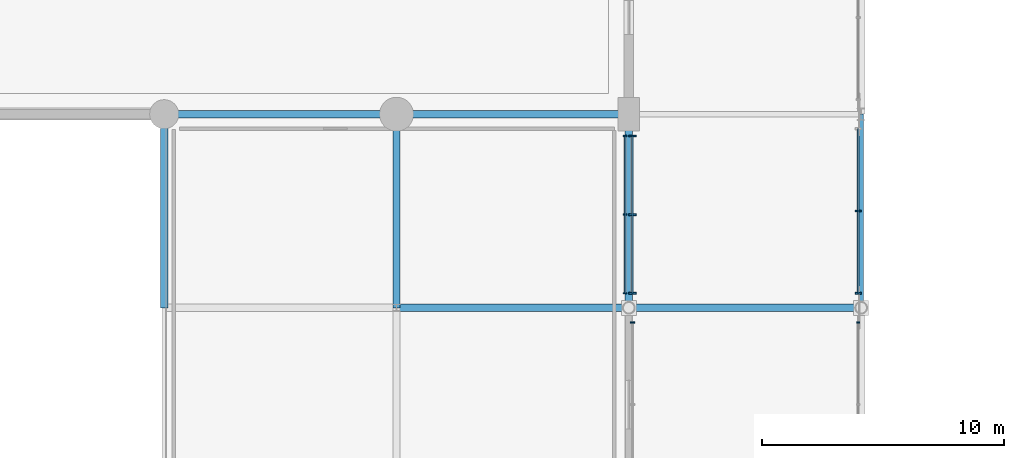
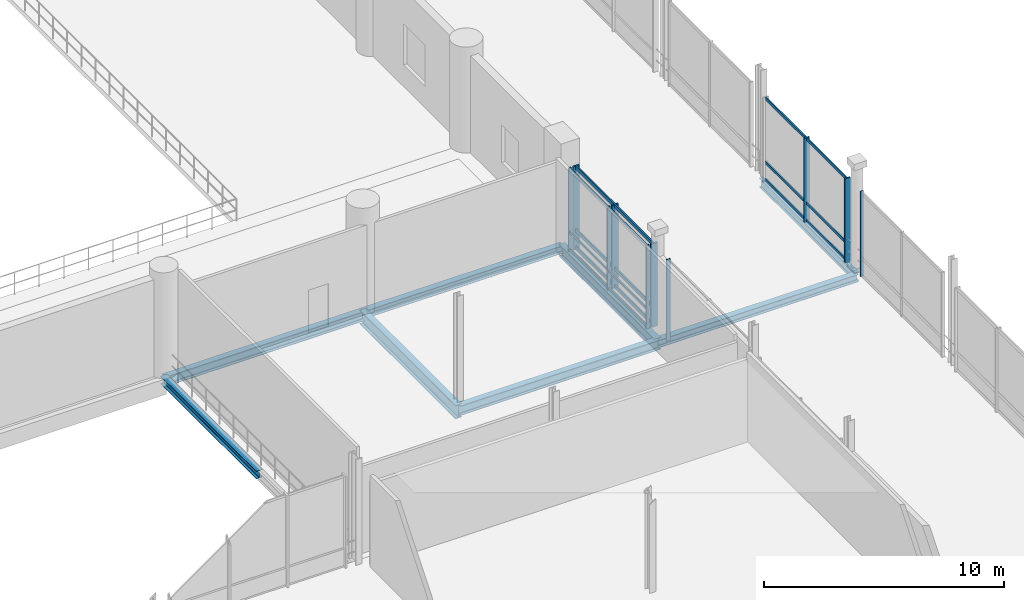
# One storey, part 46 of 129: 19 members, 8 beams, 5 elements without a shape of their own.
"""IFC4 building model written with IfcOpenShell, lengths in metres."""

from ifc_helpers import new_model, si_unit, direction, frame, origin, origin_2d, place, context, subcontext, project, spatial, rectangle, i_section, extrude, material, material_profile, profile_set, type_object, element, aggregate, save


model = new_model("IFC4")

# Units and contexts
model_context = context("Model", 3, precision=1e-05, world=origin(), true_north=direction((0.0, 1.0)))
body_context = subcontext(model_context, "Body", "Model", "MODEL_VIEW")
ifc_project = project(units=[si_unit("LENGTHUNIT", "METRE"), si_unit("AREAUNIT", "SQUARE_METRE"), si_unit("VOLUMEUNIT", "CUBIC_METRE"), si_unit("PLANEANGLEUNIT", "RADIAN"), si_unit("MASSUNIT", "GRAM", prefix="KILO")], contexts=[model_context])

# Site, building, storey
site_placement = place(None, origin())
site = spatial("IfcSite", under=ifc_project, at=site_placement, CompositionType="ELEMENT")
building_placement = place(site_placement, origin())
building = spatial("IfcBuilding", under=site, at=building_placement, Name="Danafjord Basin Convention Centre", CompositionType="ELEMENT")
storey_placement = place(building_placement, frame((0.0, 0.0, 6.0)))
storey = spatial("IfcBuildingStorey", under=building, at=storey_placement, Name="L01", CompositionType="ELEMENT", Elevation=6.0)

# Beams
ifc_material_1 = material(Name="Steel S355", Category="steel")
ifc_material_profile_1 = material_profile(ifc_material_1, i_section(OverallWidth=0.300048828125, OverallDepth=0.389892578125, WebThickness=0.010986328125, FlangeThickness=0.01904296875, FilletRadius=0.027099609375, at=origin_2d()), Name="HEA 400")
ifc_profile_set_1 = profile_set([ifc_material_profile_1], Name="Steel S355")
beam_type_1 = type_object("IfcBeamType", Name="BEAM-BM-HEA400", PredefinedType="BEAM", material=ifc_profile_set_1)
beam_1_placement = place(storey_placement, frame((105.60009765625, 56.0, -0.445068359375), z_axis=(1.0, 0.0, 0.0), x_axis=(0.0, 1.0, 0.0)))
element("IfcBeam", 1, at=beam_1_placement, inside=storey, type_object=beam_type_1, Name="L01 girder BM-HEA400", PredefinedType="BEAM", context=body_context, shape_type="SweptSolid", body=[
    extrude(i_section(OverallWidth=0.300048828125, OverallDepth=0.389892578125, WebThickness=0.010986328125, FlangeThickness=0.01904296875, FilletRadius=0.027099609375, at=origin_2d()), origin(), (0.0, 0.0, 1.0), 9.599853515625),
])
beam_2_placement = place(storey_placement, frame((115.199951171875, 48.0, -0.425048828125), z_axis=(1.0, 0.0, 0.0), x_axis=(0.0, 1.0, 0.0)))
element("IfcBeam", 2, at=beam_2_placement, inside=storey, type_object=beam_type_1, Name="L01 girder BM-HEA400", PredefinedType="BEAM", context=body_context, shape_type="SweptSolid", body=[
    extrude(i_section(OverallWidth=0.300048828125, OverallDepth=0.389892578125, WebThickness=0.010986328125, FlangeThickness=0.01904296875, FilletRadius=0.027099609375, at=origin_2d()), origin(), (0.0, 0.0, 1.0), 9.60009765625),
])
ifc_material_profile_2 = material_profile(ifc_material_1, i_section(OverallWidth=0.300048828125, OverallDepth=0.489990234375, WebThickness=0.011962890625, FlangeThickness=0.02294921875, FilletRadius=0.027099609375, at=origin_2d()), Name="HEA 500")
ifc_profile_set_2 = profile_set([ifc_material_profile_2], Name="Steel S355")
beam_type_2 = type_object("IfcBeamType", Name="BEAM-BM-HEA500", PredefinedType="BEAM", material=ifc_profile_set_2)
beam_3_placement = place(storey_placement, frame((96.0, 56.0, -0.4951171875), z_axis=(1.0, 0.0, 0.0), x_axis=(0.0, 1.0, 0.0)))
element("IfcBeam", 3, at=beam_3_placement, inside=storey, type_object=beam_type_2, Name="L01 girder BM-HEA500", PredefinedType="BEAM", context=body_context, shape_type="SweptSolid", body=[
    extrude(i_section(OverallWidth=0.300048828125, OverallDepth=0.489990234375, WebThickness=0.011962890625, FlangeThickness=0.02294921875, FilletRadius=0.027099609375, at=origin_2d()), origin(), (0.0, 0.0, 1.0), 9.60009765625),
])
beam_4_placement = place(storey_placement, frame((105.60009765625, 48.0, -0.47509765625), z_axis=(1.0, 0.0, 0.0), x_axis=(0.0, 1.0, 0.0)))
element("IfcBeam", 4, at=beam_4_placement, inside=storey, type_object=beam_type_2, Name="L01 girder BM-HEA500", PredefinedType="BEAM", context=body_context, shape_type="SweptSolid", body=[
    extrude(i_section(OverallWidth=0.300048828125, OverallDepth=0.489990234375, WebThickness=0.011962890625, FlangeThickness=0.02294921875, FilletRadius=0.027099609375, at=origin_2d()), origin(), (0.0, 0.0, 1.0), 9.599853515625),
])
ifc_material_profile_3 = material_profile(ifc_material_1, i_section(OverallWidth=0.300048828125, OverallDepth=0.60009765625, WebThickness=0.015380859375, FlangeThickness=0.030029296875, FilletRadius=0.027099609375, at=origin_2d()), Name="HEB 600")
ifc_profile_set_3 = profile_set([ifc_material_profile_3], Name="Steel S355")
beam_type_3 = type_object("IfcBeamType", Name="BEAM-BM-HEB600", PredefinedType="BEAM", material=ifc_profile_set_3)
beam_5_placement = place(storey_placement, frame((115.199951171875, 48.0, -0.530029296875), z_axis=(0.0, 1.0, 0.0), x_axis=(-1.0, 0.0, 0.0)))
element("IfcBeam", 5, at=beam_5_placement, inside=storey, type_object=beam_type_3, Name="L01 transverse girder BM-HEB600", PredefinedType="BEAM", context=body_context, shape_type="SweptSolid", body=[
    extrude(i_section(OverallWidth=0.300048828125, OverallDepth=0.60009765625, WebThickness=0.015380859375, FlangeThickness=0.030029296875, FilletRadius=0.027099609375, at=origin_2d()), origin(), (0.0, 0.0, 1.0), 8.0),
])
ifc_material_profile_4 = material_profile(ifc_material_1, i_section(OverallWidth=0.300048828125, OverallDepth=0.699951171875, WebThickness=0.01708984375, FlangeThickness=0.031982421875, FilletRadius=0.027099609375, at=origin_2d()), Name="HEB 700")
ifc_profile_set_4 = profile_set([ifc_material_profile_4], Name="Steel S355")
beam_type_4 = type_object("IfcBeamType", Name="BEAM-BM-HEB700", PredefinedType="BEAM", material=ifc_profile_set_4)
beam_6_placement = place(storey_placement, frame((105.60009765625, 48.0, -0.580078125), z_axis=(0.0, 1.0, 0.0), x_axis=(-1.0, 0.0, 0.0)))
element("IfcBeam", 6, at=beam_6_placement, inside=storey, type_object=beam_type_4, Name="L01 transverse girder BM-HEB700", PredefinedType="BEAM", context=body_context, shape_type="SweptSolid", body=[
    extrude(i_section(OverallWidth=0.300048828125, OverallDepth=0.699951171875, WebThickness=0.01708984375, FlangeThickness=0.031982421875, FilletRadius=0.027099609375, at=origin_2d()), origin(), (0.0, 0.0, 1.0), 8.0),
])
ifc_material_profile_5 = material_profile(ifc_material_1, i_section(OverallWidth=0.300048828125, OverallDepth=0.39990234375, WebThickness=0.013427734375, FlangeThickness=0.02392578125, FilletRadius=0.027099609375, at=origin_2d()), Name="HEB 400")
ifc_profile_set_5 = profile_set([ifc_material_profile_5], Name="Steel S355")
beam_type_5 = type_object("IfcBeamType", Name="BEAM-SP-HEB400", PredefinedType="SPANDREL", material=ifc_profile_set_5)
beam_7_placement = place(storey_placement, frame((96.0, 48.0, -0.429931640625), z_axis=(0.0, 1.0, 0.0), x_axis=(-1.0, 0.0, 0.0)))
element("IfcBeam", 7, at=beam_7_placement, inside=storey, type_object=beam_type_5, Name="L01 transverse girder SP-HEB400", PredefinedType="SPANDREL", context=body_context, shape_type="SweptSolid", body=[
    extrude(i_section(OverallWidth=0.300048828125, OverallDepth=0.39990234375, WebThickness=0.013427734375, FlangeThickness=0.02392578125, FilletRadius=0.027099609375, at=origin_2d()), origin(), (0.0, 0.0, 1.0), 8.0),
])
ifc_material_profile_6 = material_profile(ifc_material_1, i_section(OverallWidth=0.18994140625, OverallDepth=0.449951171875, WebThickness=0.009521484375, FlangeThickness=0.0146484375, FilletRadius=0.02099609375, at=origin_2d()), Name="IPE 450")
ifc_profile_set_6 = profile_set([ifc_material_profile_6], Name="Steel S355")
beam_type_6 = type_object("IfcBeamType", Name="BEAM-SP-IPE450", PredefinedType="SPANDREL", material=ifc_profile_set_6)
beam_8_placement = place(storey_placement, frame((124.800048828125, 48.0, -0.455078125), z_axis=(0.0, 1.0, 0.0), x_axis=(-1.0, 0.0, 0.0)))
element("IfcBeam", 8, at=beam_8_placement, inside=storey, type_object=beam_type_6, Name="L01 transverse girder SP-IPE450", PredefinedType="SPANDREL", context=body_context, shape_type="SweptSolid", body=[
    extrude(i_section(OverallWidth=0.18994140625, OverallDepth=0.449951171875, WebThickness=0.009521484375, FlangeThickness=0.0146484375, FilletRadius=0.02099609375, at=origin_2d()), origin(), (0.0, 0.0, 1.0), 8.0),
])

# Curtain wall, members
ifc_material_2 = material(Name="Anodised aluminium and triple glazing", Category="aluminium")
curtain_wall_type_1 = type_object("IfcCurtainWallType", Name="CW-CW-TERR", PredefinedType="NOTDEFINED", material=ifc_material_2)
curtain_wall_1_placement = place(storey_placement, origin())
curtain_wall_1 = element("IfcCurtainWall", 9, at=curtain_wall_1_placement, inside=storey, type_object=curtain_wall_type_1, Name="L01 CW-TERR unitised curtain wall bay 60", PredefinedType="NOTDEFINED")
ifc_material_3 = material(Name="Anodised aluminium EN AW-6060", Category="aluminium")
ifc_material_profile_7 = material_profile(ifc_material_3, rectangle(XDim=0.06005859375, YDim=0.139892578125, at=origin_2d()), Name="MULL 60x140")
ifc_profile_set_7 = profile_set([ifc_material_profile_7], Name="Anodised aluminium EN AW-6060")
member_type_1 = type_object("IfcMemberType", Name="MEM-ML-140", PredefinedType="MULLION", material=ifc_profile_set_7)
member_1_placement = place(storey_placement, frame((115.050048828125, 48.60009765625, -0.02490234375), z_axis=(0.0, 0.0, 1.0), x_axis=(0.0, 1.0, 0.0)))
member_1 = element("IfcMember", 10, at=member_1_placement, type_object=member_type_1, Name="CW-L01-060 mullion 1", PredefinedType="MULLION", context=body_context, shape_type="SweptSolid", body=[
    extrude(rectangle(XDim=0.06005859375, YDim=0.139892578125, at=origin_2d()), origin(), (0.0, 0.0, 1.0), 4.25),
])
member_2_placement = place(storey_placement, frame((115.050048828125, 51.85009765625, -0.02490234375), z_axis=(0.0, 0.0, 1.0), x_axis=(0.0, 1.0, 0.0)))
member_2 = element("IfcMember", 11, at=member_2_placement, type_object=member_type_1, Name="CW-L01-060 mullion 2", PredefinedType="MULLION", context=body_context, shape_type="SweptSolid", body=[
    extrude(rectangle(XDim=0.06005859375, YDim=0.139892578125, at=origin_2d()), origin(), (0.0, 0.0, 1.0), 4.25),
])
member_3_placement = place(storey_placement, frame((115.050048828125, 55.10009765625, -0.02490234375), z_axis=(0.0, 0.0, 1.0), x_axis=(0.0, 1.0, 0.0)))
member_3 = element("IfcMember", 12, at=member_3_placement, type_object=member_type_1, Name="CW-L01-060 mullion 3", PredefinedType="MULLION", context=body_context, shape_type="SweptSolid", body=[
    extrude(rectangle(XDim=0.06005859375, YDim=0.139892578125, at=origin_2d()), origin(), (0.0, 0.0, 1.0), 4.25),
])

# Curtain wall, member
curtain_wall_type_2 = type_object("IfcCurtainWallType", Name="CW-CW-BRIDGE", PredefinedType="NOTDEFINED", material=ifc_material_2)
curtain_wall_2_placement = place(storey_placement, origin())
curtain_wall_2 = element("IfcCurtainWall", 13, at=curtain_wall_2_placement, inside=storey, type_object=curtain_wall_type_2, Name="L01 CW-BRIDGE unitised curtain wall bay 160", PredefinedType="NOTDEFINED")
member_4_placement = place(storey_placement, frame((124.679931640625, 47.39990234375, -0.02490234375), z_axis=(0.0, 0.0, 1.0), x_axis=(0.0, 1.0, 0.0)))
member_4 = element("IfcMember", 14, at=member_4_placement, type_object=member_type_1, Name="CW-L01-160 mullion 3", PredefinedType="MULLION", context=body_context, shape_type="SweptSolid", body=[
    extrude(rectangle(XDim=0.06005859375, YDim=0.139892578125, at=origin_2d()), origin(), (0.0, 0.0, 1.0), 4.349853515625),
])
aggregate(curtain_wall_2, [member_4])

curtain_wall_3_placement = place(storey_placement, origin())
curtain_wall_3 = element("IfcCurtainWall", 15, at=curtain_wall_3_placement, inside=storey, type_object=curtain_wall_type_2, Name="L01 CW-BRIDGE unitised curtain wall bay 161", PredefinedType="NOTDEFINED")
ifc_material_profile_8 = material_profile(ifc_material_3, rectangle(XDim=0.06005859375, YDim=0.179931640625, at=origin_2d()), Name="MULL 60x180")
ifc_profile_set_8 = profile_set([ifc_material_profile_8], Name="Anodised aluminium EN AW-6060")
member_type_2 = type_object("IfcMemberType", Name="MEM-ML-180", PredefinedType="MULLION", material=ifc_profile_set_8)
member_5_placement = place(storey_placement, frame((115.35009765625, 47.39990234375, -0.02490234375), z_axis=(0.0, 0.0, 1.0), x_axis=(0.0, -1.0, 0.0)))
member_5 = element("IfcMember", 16, at=member_5_placement, type_object=member_type_2, Name="CW-L01-161 mullion 1", PredefinedType="MULLION", context=body_context, shape_type="SweptSolid", body=[
    extrude(rectangle(XDim=0.06005859375, YDim=0.179931640625, at=origin_2d()), origin(), (0.0, 0.0, 1.0), 4.14990234375),
])
aggregate(curtain_wall_3, [member_5])

# Curtain wall, members
curtain_wall_4_placement = place(storey_placement, origin())
curtain_wall_4 = element("IfcCurtainWall", 17, at=curtain_wall_4_placement, inside=storey, type_object=curtain_wall_type_2, Name="L01 CW-BRIDGE unitised curtain wall bay 163", PredefinedType="NOTDEFINED")
ifc_material_profile_9 = material_profile(ifc_material_3, rectangle(XDim=0.070068359375, YDim=0.260009765625, at=origin_2d()), Name="MULL 70x260")
ifc_profile_set_9 = profile_set([ifc_material_profile_9], Name="Anodised aluminium EN AW-6060")
member_type_3 = type_object("IfcMemberType", Name="MEM-ML-260", PredefinedType="MULLION", material=ifc_profile_set_9)
member_6_placement = place(storey_placement, frame((124.679931640625, 48.60009765625, -0.02490234375), z_axis=(0.0, 0.0, 1.0), x_axis=(0.0, 1.0, 0.0)))
member_6 = element("IfcMember", 18, at=member_6_placement, type_object=member_type_3, Name="CW-L01-163 mullion 1", PredefinedType="MULLION", context=body_context, shape_type="SweptSolid", body=[
    extrude(rectangle(XDim=0.070068359375, YDim=0.260009765625, at=origin_2d()), origin(), (0.0, 0.0, 1.0), 4.2998046875),
])
member_7_placement = place(storey_placement, frame((124.679931640625, 52.0, -0.02490234375), z_axis=(0.0, 0.0, 1.0), x_axis=(0.0, 1.0, 0.0)))
member_7 = element("IfcMember", 19, at=member_7_placement, type_object=member_type_3, Name="CW-L01-163 mullion 2", PredefinedType="MULLION", context=body_context, shape_type="SweptSolid", body=[
    extrude(rectangle(XDim=0.070068359375, YDim=0.260009765625, at=origin_2d()), origin(), (0.0, 0.0, 1.0), 4.2998046875),
])

curtain_wall_5_placement = place(storey_placement, origin())
curtain_wall_5 = element("IfcCurtainWall", 20, at=curtain_wall_5_placement, inside=storey, type_object=curtain_wall_type_2, Name="L01 CW-BRIDGE unitised curtain wall bay 164", PredefinedType="NOTDEFINED")
ifc_material_profile_10 = material_profile(ifc_material_3, rectangle(XDim=0.080078125, YDim=0.300048828125, at=origin_2d()), Name="MULL 80x300")
ifc_profile_set_10 = profile_set([ifc_material_profile_10], Name="Anodised aluminium EN AW-6060")
member_type_4 = type_object("IfcMemberType", Name="MEM-ML-300", PredefinedType="MULLION", material=ifc_profile_set_10)
member_8_placement = place(storey_placement, frame((115.35009765625, 55.10009765625, -0.02490234375), z_axis=(0.0, 0.0, 1.0), x_axis=(0.0, -1.0, 0.0)))
member_8 = element("IfcMember", 21, at=member_8_placement, type_object=member_type_4, Name="CW-L01-164 mullion 1", PredefinedType="MULLION", context=body_context, shape_type="SweptSolid", body=[
    extrude(rectangle(XDim=0.080078125, YDim=0.300048828125, at=origin_2d()), origin(), (0.0, 0.0, 1.0), 4.25),
])
member_9_placement = place(storey_placement, frame((115.35009765625, 51.85009765625, -0.02490234375), z_axis=(0.0, 0.0, 1.0), x_axis=(0.0, -1.0, 0.0)))
member_9 = element("IfcMember", 22, at=member_9_placement, type_object=member_type_4, Name="CW-L01-164 mullion 2", PredefinedType="MULLION", context=body_context, shape_type="SweptSolid", body=[
    extrude(rectangle(XDim=0.080078125, YDim=0.300048828125, at=origin_2d()), origin(), (0.0, 0.0, 1.0), 4.25),
])
member_10_placement = place(storey_placement, frame((115.35009765625, 48.60009765625, -0.02490234375), z_axis=(0.0, 0.0, 1.0), x_axis=(0.0, -1.0, 0.0)))
member_10 = element("IfcMember", 23, at=member_10_placement, type_object=member_type_4, Name="CW-L01-164 mullion 3", PredefinedType="MULLION", context=body_context, shape_type="SweptSolid", body=[
    extrude(rectangle(XDim=0.080078125, YDim=0.300048828125, at=origin_2d()), origin(), (0.0, 0.0, 1.0), 4.25),
])

# Member
ifc_material_profile_11 = material_profile(ifc_material_3, rectangle(XDim=0.06005859375, YDim=0.110107421875, at=origin_2d()), Name="TRAN 60x110")
ifc_profile_set_11 = profile_set([ifc_material_profile_11], Name="Anodised aluminium EN AW-6060")
member_type_5 = type_object("IfcMemberType", Name="MEM-TR-110", PredefinedType="USERDEFINED", material=ifc_profile_set_11)
member_11_placement = place(storey_placement, frame((115.050048828125, 48.60009765625, 0.06005859375), z_axis=(0.0, 1.0, 0.0), x_axis=(-1.0, 0.0, 0.0)))
member_11 = element("IfcMember", 24, at=member_11_placement, type_object=member_type_5, Name="CW-L01-060 transom 1", ObjectType="TRANSOM", PredefinedType="USERDEFINED", context=body_context, shape_type="SweptSolid", body=[
    extrude(rectangle(XDim=0.06005859375, YDim=0.110107421875, at=origin_2d()), origin(), (0.0, 0.0, 1.0), 6.5),
])

member_12_placement = place(storey_placement, frame((115.050048828125, 48.60009765625, 0.949951171875), z_axis=(0.0, 1.0, 0.0), x_axis=(-1.0, 0.0, 0.0)))
member_12 = element("IfcMember", 25, at=member_12_placement, type_object=member_type_5, Name="CW-L01-060 transom 2", ObjectType="TRANSOM", PredefinedType="USERDEFINED", context=body_context, shape_type="SweptSolid", body=[
    extrude(rectangle(XDim=0.06005859375, YDim=0.110107421875, at=origin_2d()), origin(), (0.0, 0.0, 1.0), 6.5),
])

member_13_placement = place(storey_placement, frame((115.050048828125, 48.60009765625, 4.155029296875), z_axis=(0.0, 1.0, 0.0), x_axis=(-1.0, 0.0, 0.0)))
member_13 = element("IfcMember", 26, at=member_13_placement, type_object=member_type_5, Name="CW-L01-060 transom 3", ObjectType="TRANSOM", PredefinedType="USERDEFINED", context=body_context, shape_type="SweptSolid", body=[
    extrude(rectangle(XDim=0.06005859375, YDim=0.110107421875, at=origin_2d()), origin(), (0.0, 0.0, 1.0), 6.5),
])

aggregate(curtain_wall_1, [member_1, member_2, member_3, member_11, member_12, member_13])

ifc_material_profile_12 = material_profile(ifc_material_3, rectangle(XDim=0.06005859375, YDim=0.14990234375, at=origin_2d()), Name="TRAN 60x150")
ifc_profile_set_12 = profile_set([ifc_material_profile_12], Name="Anodised aluminium EN AW-6060")
member_type_6 = type_object("IfcMemberType", Name="MEM-TR-150", PredefinedType="USERDEFINED", material=ifc_profile_set_12)
member_14_placement = place(storey_placement, frame((124.679931640625, 48.60009765625, 0.06005859375), z_axis=(0.0, 1.0, 0.0), x_axis=(-1.0, 0.0, 0.0)))
member_14 = element("IfcMember", 27, at=member_14_placement, type_object=member_type_6, Name="CW-L01-163 transom 1", ObjectType="TRANSOM", PredefinedType="USERDEFINED", context=body_context, shape_type="SweptSolid", body=[
    extrude(rectangle(XDim=0.06005859375, YDim=0.14990234375, at=origin_2d()), origin(), (0.0, 0.0, 1.0), 6.7998046875),
])

member_15_placement = place(storey_placement, frame((124.679931640625, 48.60009765625, 0.949951171875), z_axis=(0.0, 1.0, 0.0), x_axis=(-1.0, 0.0, 0.0)))
member_15 = element("IfcMember", 28, at=member_15_placement, type_object=member_type_6, Name="CW-L01-163 transom 2", ObjectType="TRANSOM", PredefinedType="USERDEFINED", context=body_context, shape_type="SweptSolid", body=[
    extrude(rectangle(XDim=0.06005859375, YDim=0.14990234375, at=origin_2d()), origin(), (0.0, 0.0, 1.0), 6.7998046875),
])

member_16_placement = place(storey_placement, frame((124.679931640625, 48.60009765625, 4.205078125), z_axis=(0.0, 1.0, 0.0), x_axis=(-1.0, 0.0, 0.0)))
member_16 = element("IfcMember", 29, at=member_16_placement, type_object=member_type_6, Name="CW-L01-163 transom 3", ObjectType="TRANSOM", PredefinedType="USERDEFINED", context=body_context, shape_type="SweptSolid", body=[
    extrude(rectangle(XDim=0.06005859375, YDim=0.14990234375, at=origin_2d()), origin(), (0.0, 0.0, 1.0), 6.7998046875),
])

aggregate(curtain_wall_4, [member_6, member_7, member_14, member_15, member_16])

ifc_material_profile_13 = material_profile(ifc_material_3, rectangle(XDim=0.06494140625, YDim=0.18994140625, at=origin_2d()), Name="TRAN 65x190")
ifc_profile_set_13 = profile_set([ifc_material_profile_13], Name="Anodised aluminium EN AW-6060")
member_type_7 = type_object("IfcMemberType", Name="MEM-TR-190", PredefinedType="USERDEFINED", material=ifc_profile_set_13)
member_17_placement = place(storey_placement, frame((115.35009765625, 55.10009765625, 0.06005859375), z_axis=(0.0, -1.0, 0.0), x_axis=(1.0, 0.0, 0.0)))
member_17 = element("IfcMember", 30, at=member_17_placement, type_object=member_type_7, Name="CW-L01-164 transom 1", ObjectType="TRANSOM", PredefinedType="USERDEFINED", context=body_context, shape_type="SweptSolid", body=[
    extrude(rectangle(XDim=0.06494140625, YDim=0.18994140625, at=origin_2d()), origin(), (0.0, 0.0, 1.0), 6.5),
])

member_18_placement = place(storey_placement, frame((115.35009765625, 55.10009765625, 0.949951171875), z_axis=(0.0, -1.0, 0.0), x_axis=(1.0, 0.0, 0.0)))
member_18 = element("IfcMember", 31, at=member_18_placement, type_object=member_type_7, Name="CW-L01-164 transom 2", ObjectType="TRANSOM", PredefinedType="USERDEFINED", context=body_context, shape_type="SweptSolid", body=[
    extrude(rectangle(XDim=0.06494140625, YDim=0.18994140625, at=origin_2d()), origin(), (0.0, 0.0, 1.0), 6.5),
])

member_19_placement = place(storey_placement, frame((115.35009765625, 55.10009765625, 4.155029296875), z_axis=(0.0, -1.0, 0.0), x_axis=(1.0, 0.0, 0.0)))
member_19 = element("IfcMember", 32, at=member_19_placement, type_object=member_type_7, Name="CW-L01-164 transom 3", ObjectType="TRANSOM", PredefinedType="USERDEFINED", context=body_context, shape_type="SweptSolid", body=[
    extrude(rectangle(XDim=0.06494140625, YDim=0.18994140625, at=origin_2d()), origin(), (0.0, 0.0, 1.0), 6.5),
])

aggregate(curtain_wall_5, [member_8, member_9, member_10, member_17, member_18, member_19])

save(model, "model.ifc")
